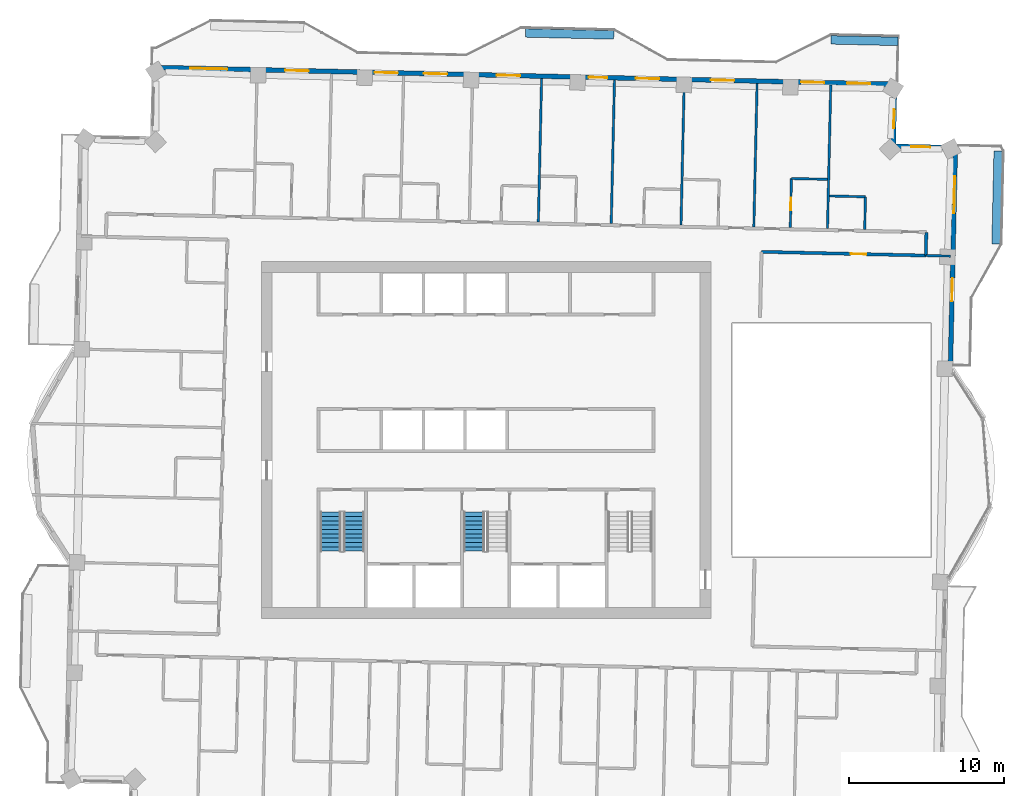
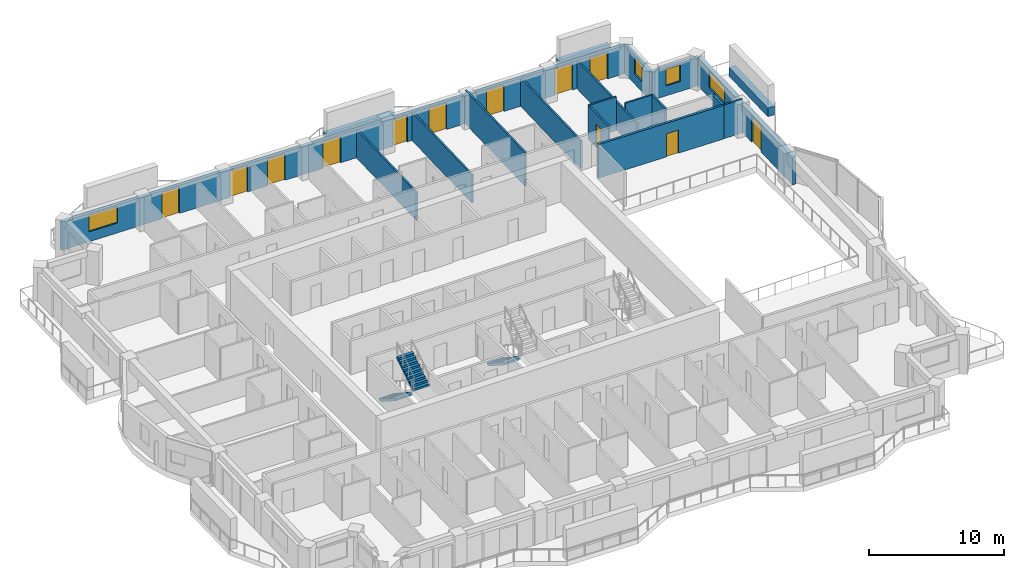
# One storey, part 12 of 17: 19 walls, 12 doors, 4 windows, 3 stair flights, 16 openings, 2 elements without a shape of their own.
"""IFC4 building model written with IfcOpenShell, lengths in metres."""

from ifc_helpers import new_model, si_unit, direction, frame, frame_2d, origin, place, context, subcontext, project, spatial, polyline, rectangle, outline, extrude, material, layer, layer_set, type_object, element, fill, aggregate, save


model = new_model("IFC4")

# Units and contexts
model_context = context("Model", 3, precision=1e-05, world=origin(), true_north=direction((0.0, 1.0)))
body_context = subcontext(model_context, "Body", "Model", "MODEL_VIEW")
ifc_project = project(units=[si_unit("LENGTHUNIT", "METRE"), si_unit("AREAUNIT", "SQUARE_METRE"), si_unit("VOLUMEUNIT", "CUBIC_METRE"), si_unit("PLANEANGLEUNIT", "RADIAN"), si_unit("MASSUNIT", "GRAM", prefix="KILO")], contexts=[model_context])

# Site, building, storey
site_placement = place(None, origin())
site = spatial("IfcSite", under=ifc_project, at=site_placement, CompositionType="ELEMENT")
building_placement = place(site_placement, origin())
building = spatial("IfcBuilding", under=site, at=building_placement, Name="Mangrove Gate Tower", CompositionType="ELEMENT")
storey_placement = place(building_placement, frame((0.0, 0.0, 264.5)))
storey = spatial("IfcBuildingStorey", under=building, at=storey_placement, Name="L67", CompositionType="ELEMENT", Elevation=264.5)

# Wall, opening, door
ifc_material_1 = material(Name="Gypsum board on steel stud, EI 60", Category="steel")
ifc_layer_1 = layer(ifc_material_1, 0.199951171875)
ifc_layer_set_1 = layer_set([ifc_layer_1], Name="Corridor wall EI 60")
wall_type_1 = type_object("IfcWallType", Name="Corridor wall EI 60", PredefinedType="PARTITIONING", material=ifc_layer_set_1)
wall_1_placement = place(storey_placement, frame((17.7529296875, 12.136962890625, 0.0), z_axis=(0.0, 0.0, 1.0), x_axis=(0.999743663474, -0.022640833553, 0.0)))
wall_1 = element("IfcWall", 1, at=wall_1_placement, inside=storey, type_object=wall_type_1, Name="WALL-L67-057", PredefinedType="PARTITIONING", context=body_context, shape_type="SweptSolid", body=[
    extrude(rectangle(XDim=10.599853515625, YDim=0.199951171875, at=frame_2d((5.2998046875, 0.0))), origin(), (0.0, 0.0, 1.0), 3.050048828125),
])
opening_1_placement = place(wall_1_placement, frame((5.75, 0.0, 0.0)))
opening_1 = element("IfcOpeningElement", 2, at=opening_1_placement, cuts=wall_1, Name="Opening AD", PredefinedType="OPENING", context=body_context, shape_type="SweptSolid", body=[
    extrude(rectangle(XDim=1.0, YDim=2.10009765625, at=frame_2d((0.5, 1.050048828125))), frame((0.0, 0.10986328125, 0.0), z_axis=(0.0, -1.0, 0.0), x_axis=(1.0, 0.0, 0.0)), (0.0, 0.0, 1.0), 0.219970703125),
])
ifc_material_2 = material(Name="Timber door leaf", Category="wood")
door_type_1 = type_object("IfcDoorType", Name="Amenity door 1000", OperationType="SINGLE_SWING_LEFT", PredefinedType="DOOR", material=ifc_material_2)
door_1_placement = place(opening_1_placement, origin())
door_1 = element("IfcDoor", 3, at=door_1_placement, inside=storey, type_object=door_type_1, Name="DOOR-L67-LNG-c3b", OperationType="SINGLE_SWING_RIGHT", OverallHeight=2.10009765625, OverallWidth=1.0, PredefinedType="DOOR", context=body_context, shape_type="SweptSolid", body=[
    extrude(rectangle(XDim=1.0, YDim=2.10009765625, at=frame_2d((0.5, 1.050048828125))), frame((0.0, 0.02490234375, 0.0), z_axis=(0.0, -1.0, 0.0), x_axis=(1.0, 0.0, 0.0)), (0.0, 0.0, 1.0), 0.050048828125),
])
fill(opening_1, door_1)

# Wall
wall_2_placement = place(storey_placement, frame((28.35400390625, 11.89697265625, 0.0), z_axis=(0.0, 0.0, 1.0), x_axis=(0.022632637625, 0.99974384905, 0.0)))
element("IfcWall", 4, at=wall_2_placement, inside=storey, type_object=wall_type_1, Name="WALL-L67-059", PredefinedType="PARTITIONING", context=body_context, shape_type="SweptSolid", body=[
    extrude(rectangle(XDim=1.49951171875, YDim=0.199951171875, at=frame_2d((0.749755859375, 0.0))), origin(), (0.0, 0.0, 1.0), 3.050048828125),
])

# Wall, openings, door, window
ifc_material_3 = material(Name="Limestone", Category="masonry")
ifc_layer_2 = layer(ifc_material_3, 0.0400390625, Name="Limestone cladding")
ifc_material_4 = material(Name="Ventilated air gap")
ifc_layer_3 = layer(ifc_material_4, 0.0400390625, Name="Ventilated cavity")
ifc_material_5 = material(Name="Mineral wool insulation")
ifc_layer_4 = layer(ifc_material_5, 0.06005859375, Name="Insulation")
ifc_material_6 = material(Name="Breather membrane")
ifc_layer_5 = layer(ifc_material_6, 0.001953125, Name="Breather membrane")
ifc_material_7 = material(Name="Concrete C20/25 blockwork", Category="masonry")
ifc_layer_6 = layer(ifc_material_7, 0.14990234375, Name="Blockwork backing wall")
ifc_material_8 = material(Name="Gypsum plaster")
ifc_layer_7 = layer(ifc_material_8, 0.008056640625, Name="Internal plaster")
ifc_layer_set_2 = layer_set([ifc_layer_2, ifc_layer_3, ifc_layer_4, ifc_layer_5, ifc_layer_6, ifc_layer_7], Name="External wall 300 limestone cladding")
wall_type_2 = type_object("IfcWallType", Name="External wall 300 limestone cladding", PredefinedType="SOLIDWALL", material=ifc_layer_set_2)
wall_3_placement = place(storey_placement, frame((29.923095703125, 4.0849609375, 0.0), z_axis=(0.0, 0.0, 1.0), x_axis=(0.022738672774, 0.999741442954, 0.0)))
wall_3 = element("IfcWall", 5, at=wall_3_placement, inside=storey, type_object=wall_type_2, Name="WALL-L67-E2s1", PredefinedType="SOLIDWALL", context=body_context, shape_type="SweptSolid", body=[
    extrude(rectangle(XDim=14.77392578125, YDim=0.300048828125, at=frame_2d((7.386962890625, 0.0))), origin(), (0.0, 0.0, 1.0), 2.550048828125),
])
opening_2_placement = place(wall_3_placement, frame((4.85302734375, 0.0, 0.0)))
opening_2 = element("IfcOpeningElement", 6, at=opening_2_placement, cuts=wall_3, Name="Opening BD1", PredefinedType="OPENING", context=body_context, shape_type="SweptSolid", body=[
    extrude(rectangle(XDim=1.5, YDim=2.39990234375, at=frame_2d((0.75, 1.199951171875))), frame((0.0, 0.159912109375, 0.0), z_axis=(0.0, -1.0, 0.0), x_axis=(1.0, 0.0, 0.0)), (0.0, 0.0, 1.0), 0.320068359375),
])
opening_3_placement = place(wall_3_placement, frame((10.5380859375, 0.0, 0.89990234375)))
opening_3 = element("IfcOpeningElement", 7, at=opening_3_placement, cuts=wall_3, Name="Opening W2", PredefinedType="OPENING", context=body_context, shape_type="SweptSolid", body=[
    extrude(rectangle(XDim=2.39990234375, YDim=1.5, at=frame_2d((1.199951171875, 0.75))), frame((0.0, 0.159912109375, 0.0), z_axis=(0.0, -1.0, 0.0), x_axis=(1.0, 0.0, 0.0)), (0.0, 0.0, 1.0), 0.320068359375),
])
ifc_material_9 = material(Name="Aluminium frame with laminated clear glass", Category="aluminium")
door_type_2 = type_object("IfcDoorType", Name="Balcony sliding door 1500x2400", OperationType="SLIDING_TO_LEFT", PredefinedType="DOOR", material=ifc_material_9)
door_2_placement = place(opening_2_placement, origin())
door_2 = element("IfcDoor", 8, at=door_2_placement, inside=storey, type_object=door_type_2, Name="DOOR-L67-E2-1", OperationType="SLIDING_TO_LEFT", OverallHeight=2.39990234375, OverallWidth=1.5, PredefinedType="DOOR", context=body_context, shape_type="SweptSolid", body=[
    extrude(rectangle(XDim=1.5, YDim=2.39990234375, at=frame_2d((0.75, 1.199951171875))), frame((0.0, 0.02490234375, 0.0), z_axis=(0.0, -1.0, 0.0), x_axis=(1.0, 0.0, 0.0)), (0.0, 0.0, 1.0), 0.050048828125),
])
fill(opening_2, door_2)
ifc_material_10 = material(Name="Aluminium frame with double-glazed low-e glass", Category="aluminium")
window_type_1 = type_object("IfcWindowType", Name="Corner room window 2400x1500", PartitioningType="DOUBLE_PANEL_VERTICAL", PredefinedType="WINDOW", material=ifc_material_10)
window_1_placement = place(opening_3_placement, origin())
window_1 = element("IfcWindow", 9, at=window_1_placement, inside=storey, type_object=window_type_1, Name="WIN-L67-E2-2", OverallHeight=1.5, OverallWidth=2.39990234375, PartitioningType="DOUBLE_PANEL_VERTICAL", PredefinedType="WINDOW", context=body_context, shape_type="SweptSolid", body=[
    extrude(rectangle(XDim=2.39990234375, YDim=1.5, at=frame_2d((1.199951171875, 0.75))), frame((0.0, 0.030029296875, 0.0), z_axis=(0.0, -1.0, 0.0), x_axis=(1.0, 0.0, 0.0)), (0.0, 0.0, 1.0), 0.06005859375),
])
fill(opening_3, window_1)

# Wall, opening, window
wall_4_placement = place(storey_placement, frame((30.259033203125, 18.85498046875, 0.0), z_axis=(0.0, 0.0, 1.0), x_axis=(-0.999740826251, 0.022765770952, 0.0)))
wall_4 = element("IfcWall", 10, at=wall_4_placement, inside=storey, type_object=wall_type_2, Name="WALL-L67-N3", PredefinedType="SOLIDWALL", context=body_context, shape_type="SweptSolid", body=[
    extrude(rectangle(XDim=4.0, YDim=0.300048828125, at=frame_2d((2.0, 0.0))), origin(), (0.0, 0.0, 1.0), 2.550048828125),
])
opening_4_placement = place(wall_4_placement, frame((1.632080078125, 0.0, 0.89990234375)))
opening_4 = element("IfcOpeningElement", 11, at=opening_4_placement, cuts=wall_4, Name="Opening W1", PredefinedType="OPENING", context=body_context, shape_type="SweptSolid", body=[
    extrude(rectangle(XDim=1.199951171875, YDim=1.5, at=frame_2d((0.60009765625, 0.75))), frame((0.0, 0.159912109375, 0.0), z_axis=(0.0, -1.0, 0.0), x_axis=(1.0, 0.0, 0.0)), (0.0, 0.0, 1.0), 0.320068359375),
])
ifc_material_11 = material(Name="Aluminium frame with double-glazed low-e glass", Category="aluminium")
window_type_2 = type_object("IfcWindowType", Name="Side lite 1200x1500", PartitioningType="SINGLE_PANEL", PredefinedType="WINDOW", material=ifc_material_11)
window_2_placement = place(opening_4_placement, origin())
window_2 = element("IfcWindow", 12, at=window_2_placement, inside=storey, type_object=window_type_2, Name="WIN-L67-N3-1", OverallHeight=1.5, OverallWidth=1.199951171875, PartitioningType="SINGLE_PANEL", PredefinedType="WINDOW", context=body_context, shape_type="SweptSolid", body=[
    extrude(rectangle(XDim=1.199951171875, YDim=1.5, at=frame_2d((0.60009765625, 0.75))), frame((0.0, 0.030029296875, 0.0), z_axis=(0.0, -1.0, 0.0), x_axis=(1.0, 0.0, 0.0)), (0.0, 0.0, 1.0), 0.06005859375),
])
fill(opening_4, window_2)

wall_5_placement = place(storey_placement, frame((26.260009765625, 18.946044921875, 0.0), z_axis=(0.0, 0.0, 1.0), x_axis=(0.022521758502, 0.999746353029, 0.0)))
wall_5 = element("IfcWall", 13, at=wall_5_placement, inside=storey, type_object=wall_type_2, Name="WALL-L67-E4", PredefinedType="SOLIDWALL", context=body_context, shape_type="SweptSolid", body=[
    extrude(rectangle(XDim=4.0, YDim=0.300048828125, at=frame_2d((2.0, 0.0))), origin(), (0.0, 0.0, 1.0), 2.550048828125),
])
opening_5_placement = place(wall_5_placement, frame((1.1689453125, 0.0, 0.89990234375)))
opening_5 = element("IfcOpeningElement", 14, at=opening_5_placement, cuts=wall_5, Name="Opening W1", PredefinedType="OPENING", context=body_context, shape_type="SweptSolid", body=[
    extrude(rectangle(XDim=1.199951171875, YDim=1.5, at=frame_2d((0.60009765625, 0.75))), frame((0.0, 0.159912109375, 0.0), z_axis=(0.0, -1.0, 0.0), x_axis=(1.0, 0.0, 0.0)), (0.0, 0.0, 1.0), 0.320068359375),
])
window_3_placement = place(opening_5_placement, origin())
window_3 = element("IfcWindow", 15, at=window_3_placement, inside=storey, type_object=window_type_2, Name="WIN-L67-E4-1", OverallHeight=1.5, OverallWidth=1.199951171875, PartitioningType="SINGLE_PANEL", PredefinedType="WINDOW", context=body_context, shape_type="SweptSolid", body=[
    extrude(rectangle(XDim=1.199951171875, YDim=1.5, at=frame_2d((0.60009765625, 0.75))), frame((0.0, 0.030029296875, 0.0), z_axis=(0.0, -1.0, 0.0), x_axis=(1.0, 0.0, 0.0)), (0.0, 0.0, 1.0), 0.06005859375),
])
fill(opening_5, window_3)

# Wall, openings, doors, window
wall_6_placement = place(storey_placement, frame((26.35009765625, 22.945068359375, 0.0), z_axis=(0.0, 0.0, 1.0), x_axis=(-0.999742523712, 0.022691105788, 0.0)))
wall_6 = element("IfcWall", 16, at=wall_6_placement, inside=storey, type_object=wall_type_2, Name="WALL-L67-N5", PredefinedType="SOLIDWALL", context=body_context, shape_type="SweptSolid", body=[
    extrude(rectangle(XDim=47.771240234375, YDim=0.300048828125, at=frame_2d((23.8857421875, 0.0))), origin(), (0.0, 0.0, 1.0), 2.550048828125),
])
opening_6_placement = place(wall_6_placement, frame((1.577880859375, 0.0, 0.0)))
opening_6 = element("IfcOpeningElement", 17, at=opening_6_placement, cuts=wall_6, Name="Opening BD1", PredefinedType="OPENING", context=body_context, shape_type="SweptSolid", body=[
    extrude(rectangle(XDim=1.5, YDim=2.39990234375, at=frame_2d((0.75, 1.199951171875))), frame((0.0, 0.159912109375, 0.0), z_axis=(0.0, -1.0, 0.0), x_axis=(1.0, 0.0, 0.0)), (0.0, 0.0, 1.0), 0.320068359375),
])
opening_7_placement = place(wall_6_placement, frame((4.544921875, 0.0, 0.0)))
opening_7 = element("IfcOpeningElement", 18, at=opening_7_placement, cuts=wall_6, Name="Opening BD1", PredefinedType="OPENING", context=body_context, shape_type="SweptSolid", body=[
    extrude(rectangle(XDim=1.5, YDim=2.39990234375, at=frame_2d((0.75, 1.199951171875))), frame((0.0, 0.159912109375, 0.0), z_axis=(0.0, -1.0, 0.0), x_axis=(1.0, 0.0, 0.0)), (0.0, 0.0, 1.0), 0.320068359375),
])
opening_8_placement = place(wall_6_placement, frame((10.35400390625, 0.0, 0.0)))
opening_8 = element("IfcOpeningElement", 19, at=opening_8_placement, cuts=wall_6, Name="Opening BD1", PredefinedType="OPENING", context=body_context, shape_type="SweptSolid", body=[
    extrude(rectangle(XDim=1.5, YDim=2.39990234375, at=frame_2d((0.75, 1.199951171875))), frame((0.0, 0.159912109375, 0.0), z_axis=(0.0, -1.0, 0.0), x_axis=(1.0, 0.0, 0.0)), (0.0, 0.0, 1.0), 0.320068359375),
])
opening_9_placement = place(wall_6_placement, frame((15.2041015625, 0.0, 0.0)))
opening_9 = element("IfcOpeningElement", 20, at=opening_9_placement, cuts=wall_6, Name="Opening BD1", PredefinedType="OPENING", context=body_context, shape_type="SweptSolid", body=[
    extrude(rectangle(XDim=1.5, YDim=2.39990234375, at=frame_2d((0.75, 1.199951171875))), frame((0.0, 0.159912109375, 0.0), z_axis=(0.0, -1.0, 0.0), x_axis=(1.0, 0.0, 0.0)), (0.0, 0.0, 1.0), 0.320068359375),
])
opening_10_placement = place(wall_6_placement, frame((18.537109375, 0.0, 0.0)))
opening_10 = element("IfcOpeningElement", 21, at=opening_10_placement, cuts=wall_6, Name="Opening BD2", PredefinedType="OPENING", context=body_context, shape_type="SweptSolid", body=[
    extrude(rectangle(XDim=1.199951171875, YDim=2.39990234375, at=frame_2d((0.60009765625, 1.199951171875))), frame((0.0, 0.159912109375, 0.0), z_axis=(0.0, -1.0, 0.0), x_axis=(1.0, 0.0, 0.0)), (0.0, 0.0, 1.0), 0.320068359375),
])
opening_11_placement = place(wall_6_placement, frame((24.1708984375, 0.0, 0.0)))
opening_11 = element("IfcOpeningElement", 22, at=opening_11_placement, cuts=wall_6, Name="Opening BD1", PredefinedType="OPENING", context=body_context, shape_type="SweptSolid", body=[
    extrude(rectangle(XDim=1.5, YDim=2.39990234375, at=frame_2d((0.75, 1.199951171875))), frame((0.0, 0.159912109375, 0.0), z_axis=(0.0, -1.0, 0.0), x_axis=(1.0, 0.0, 0.0)), (0.0, 0.0, 1.0), 0.320068359375),
])
opening_12_placement = place(wall_6_placement, frame((28.87109375, 0.0, 0.0)))
opening_12 = element("IfcOpeningElement", 23, at=opening_12_placement, cuts=wall_6, Name="Opening BD1", PredefinedType="OPENING", context=body_context, shape_type="SweptSolid", body=[
    extrude(rectangle(XDim=1.5, YDim=2.39990234375, at=frame_2d((0.75, 1.199951171875))), frame((0.0, 0.159912109375, 0.0), z_axis=(0.0, -1.0, 0.0), x_axis=(1.0, 0.0, 0.0)), (0.0, 0.0, 1.0), 0.320068359375),
])
opening_13_placement = place(wall_6_placement, frame((32.054931640625, 0.0, 0.0)))
opening_13 = element("IfcOpeningElement", 24, at=opening_13_placement, cuts=wall_6, Name="Opening BD1", PredefinedType="OPENING", context=body_context, shape_type="SweptSolid", body=[
    extrude(rectangle(XDim=1.5, YDim=2.39990234375, at=frame_2d((0.75, 1.199951171875))), frame((0.0, 0.159912109375, 0.0), z_axis=(0.0, -1.0, 0.0), x_axis=(1.0, 0.0, 0.0)), (0.0, 0.0, 1.0), 0.320068359375),
])
opening_14_placement = place(wall_6_placement, frame((37.81298828125, 0.0, 0.0)))
opening_14 = element("IfcOpeningElement", 25, at=opening_14_placement, cuts=wall_6, Name="Opening BD1", PredefinedType="OPENING", context=body_context, shape_type="SweptSolid", body=[
    extrude(rectangle(XDim=1.5, YDim=2.39990234375, at=frame_2d((0.75, 1.199951171875))), frame((0.0, 0.159912109375, 0.0), z_axis=(0.0, -1.0, 0.0), x_axis=(1.0, 0.0, 0.0)), (0.0, 0.0, 1.0), 0.320068359375),
])
opening_15_placement = place(wall_6_placement, frame((43.052001953125, 0.0, 0.89990234375)))
opening_15 = element("IfcOpeningElement", 26, at=opening_15_placement, cuts=wall_6, Name="Opening W2", PredefinedType="OPENING", context=body_context, shape_type="SweptSolid", body=[
    extrude(rectangle(XDim=2.39990234375, YDim=1.5, at=frame_2d((1.199951171875, 0.75))), frame((0.0, 0.159912109375, 0.0), z_axis=(0.0, -1.0, 0.0), x_axis=(1.0, 0.0, 0.0)), (0.0, 0.0, 1.0), 0.320068359375),
])
ifc_material_12 = material(Name="Aluminium frame with laminated clear glass", Category="aluminium")
door_type_3 = type_object("IfcDoorType", Name="Balcony sliding door 1200x2400", OperationType="SLIDING_TO_LEFT", PredefinedType="DOOR", material=ifc_material_12)
door_3_placement = place(opening_10_placement, origin())
door_3 = element("IfcDoor", 27, at=door_3_placement, inside=storey, type_object=door_type_3, Name="DOOR-L67-N5-5", OperationType="SLIDING_TO_LEFT", OverallHeight=2.39990234375, OverallWidth=1.199951171875, PredefinedType="DOOR", context=body_context, shape_type="SweptSolid", body=[
    extrude(rectangle(XDim=1.199951171875, YDim=2.39990234375, at=frame_2d((0.60009765625, 1.199951171875))), frame((0.0, 0.02490234375, 0.0), z_axis=(0.0, -1.0, 0.0), x_axis=(1.0, 0.0, 0.0)), (0.0, 0.0, 1.0), 0.050048828125),
])
fill(opening_10, door_3)
door_4_placement = place(opening_6_placement, origin())
door_4 = element("IfcDoor", 28, at=door_4_placement, inside=storey, type_object=door_type_2, Name="DOOR-L67-N5-1", OperationType="SLIDING_TO_LEFT", OverallHeight=2.39990234375, OverallWidth=1.5, PredefinedType="DOOR", context=body_context, shape_type="SweptSolid", body=[
    extrude(rectangle(XDim=1.5, YDim=2.39990234375, at=frame_2d((0.75, 1.199951171875))), frame((0.0, 0.02490234375, 0.0), z_axis=(0.0, -1.0, 0.0), x_axis=(1.0, 0.0, 0.0)), (0.0, 0.0, 1.0), 0.050048828125),
])
fill(opening_6, door_4)
door_5_placement = place(opening_7_placement, origin())
door_5 = element("IfcDoor", 29, at=door_5_placement, inside=storey, type_object=door_type_2, Name="DOOR-L67-N5-2", OperationType="SLIDING_TO_LEFT", OverallHeight=2.39990234375, OverallWidth=1.5, PredefinedType="DOOR", context=body_context, shape_type="SweptSolid", body=[
    extrude(rectangle(XDim=1.5, YDim=2.39990234375, at=frame_2d((0.75, 1.199951171875))), frame((0.0, 0.02490234375, 0.0), z_axis=(0.0, -1.0, 0.0), x_axis=(1.0, 0.0, 0.0)), (0.0, 0.0, 1.0), 0.050048828125),
])
fill(opening_7, door_5)
door_6_placement = place(opening_8_placement, origin())
door_6 = element("IfcDoor", 30, at=door_6_placement, inside=storey, type_object=door_type_2, Name="DOOR-L67-N5-3", OperationType="SLIDING_TO_LEFT", OverallHeight=2.39990234375, OverallWidth=1.5, PredefinedType="DOOR", context=body_context, shape_type="SweptSolid", body=[
    extrude(rectangle(XDim=1.5, YDim=2.39990234375, at=frame_2d((0.75, 1.199951171875))), frame((0.0, 0.02490234375, 0.0), z_axis=(0.0, -1.0, 0.0), x_axis=(1.0, 0.0, 0.0)), (0.0, 0.0, 1.0), 0.050048828125),
])
fill(opening_8, door_6)
door_7_placement = place(opening_9_placement, origin())
door_7 = element("IfcDoor", 31, at=door_7_placement, inside=storey, type_object=door_type_2, Name="DOOR-L67-N5-4", OperationType="SLIDING_TO_LEFT", OverallHeight=2.39990234375, OverallWidth=1.5, PredefinedType="DOOR", context=body_context, shape_type="SweptSolid", body=[
    extrude(rectangle(XDim=1.5, YDim=2.39990234375, at=frame_2d((0.75, 1.199951171875))), frame((0.0, 0.02490234375, 0.0), z_axis=(0.0, -1.0, 0.0), x_axis=(1.0, 0.0, 0.0)), (0.0, 0.0, 1.0), 0.050048828125),
])
fill(opening_9, door_7)
door_8_placement = place(opening_11_placement, origin())
door_8 = element("IfcDoor", 32, at=door_8_placement, inside=storey, type_object=door_type_2, Name="DOOR-L67-N5-6", OperationType="SLIDING_TO_LEFT", OverallHeight=2.39990234375, OverallWidth=1.5, PredefinedType="DOOR", context=body_context, shape_type="SweptSolid", body=[
    extrude(rectangle(XDim=1.5, YDim=2.39990234375, at=frame_2d((0.75, 1.199951171875))), frame((0.0, 0.02490234375, 0.0), z_axis=(0.0, -1.0, 0.0), x_axis=(1.0, 0.0, 0.0)), (0.0, 0.0, 1.0), 0.050048828125),
])
fill(opening_11, door_8)
door_9_placement = place(opening_12_placement, origin())
door_9 = element("IfcDoor", 33, at=door_9_placement, inside=storey, type_object=door_type_2, Name="DOOR-L67-N5-7", OperationType="SLIDING_TO_LEFT", OverallHeight=2.39990234375, OverallWidth=1.5, PredefinedType="DOOR", context=body_context, shape_type="SweptSolid", body=[
    extrude(rectangle(XDim=1.5, YDim=2.39990234375, at=frame_2d((0.75, 1.199951171875))), frame((0.0, 0.02490234375, 0.0), z_axis=(0.0, -1.0, 0.0), x_axis=(1.0, 0.0, 0.0)), (0.0, 0.0, 1.0), 0.050048828125),
])
fill(opening_12, door_9)
door_10_placement = place(opening_13_placement, origin())
door_10 = element("IfcDoor", 34, at=door_10_placement, inside=storey, type_object=door_type_2, Name="DOOR-L67-N5-8", OperationType="SLIDING_TO_LEFT", OverallHeight=2.39990234375, OverallWidth=1.5, PredefinedType="DOOR", context=body_context, shape_type="SweptSolid", body=[
    extrude(rectangle(XDim=1.5, YDim=2.39990234375, at=frame_2d((0.75, 1.199951171875))), frame((0.0, 0.02490234375, 0.0), z_axis=(0.0, -1.0, 0.0), x_axis=(1.0, 0.0, 0.0)), (0.0, 0.0, 1.0), 0.050048828125),
])
fill(opening_13, door_10)
door_11_placement = place(opening_14_placement, origin())
door_11 = element("IfcDoor", 35, at=door_11_placement, inside=storey, type_object=door_type_2, Name="DOOR-L67-N5-9", OperationType="SLIDING_TO_LEFT", OverallHeight=2.39990234375, OverallWidth=1.5, PredefinedType="DOOR", context=body_context, shape_type="SweptSolid", body=[
    extrude(rectangle(XDim=1.5, YDim=2.39990234375, at=frame_2d((0.75, 1.199951171875))), frame((0.0, 0.02490234375, 0.0), z_axis=(0.0, -1.0, 0.0), x_axis=(1.0, 0.0, 0.0)), (0.0, 0.0, 1.0), 0.050048828125),
])
fill(opening_14, door_11)
window_4_placement = place(opening_15_placement, origin())
window_4 = element("IfcWindow", 36, at=window_4_placement, inside=storey, type_object=window_type_1, Name="WIN-L67-N5-10", OverallHeight=1.5, OverallWidth=2.39990234375, PartitioningType="DOUBLE_PANEL_VERTICAL", PredefinedType="WINDOW", context=body_context, shape_type="SweptSolid", body=[
    extrude(rectangle(XDim=2.39990234375, YDim=1.5, at=frame_2d((1.199951171875, 0.75))), frame((0.0, 0.030029296875, 0.0), z_axis=(0.0, -1.0, 0.0), x_axis=(1.0, 0.0, 0.0)), (0.0, 0.0, 1.0), 0.06005859375),
])
fill(opening_15, window_4)

# Walls
ifc_material_13 = material(Name="Gypsum board on steel stud, EI 60", Category="steel")
ifc_layer_8 = layer(ifc_material_13, 0.14990234375)
ifc_layer_set_3 = layer_set([ifc_layer_8], Name="Party wall 150 EI 60")
wall_type_3 = type_object("IfcWallType", Name="Party wall 150 EI 60", PredefinedType="PARTITIONING", material=ifc_layer_set_3)
wall_7_placement = place(storey_placement, frame((28.35009765625, 11.89697265625, 0.0), z_axis=(0.0, 0.0, 1.0), x_axis=(0.999734618493, -0.023036765969, 0.0)))
element("IfcWall", 37, at=wall_7_placement, inside=storey, type_object=wall_type_3, Name="WALL-L67-058", PredefinedType="PARTITIONING", context=body_context, shape_type="SweptSolid", body=[
    extrude(rectangle(XDim=1.600341796875, YDim=0.14990234375, at=frame_2d((0.80029296875, 0.0))), origin(), (0.0, 0.0, 1.0), 3.050048828125),
])
for number, where, z_axis, x_axis, name in (
    (38, (3.366943359375, 14.06396484375, 0.0), (0.0, 0.0, 1.0), (0.022697424684, 0.999742380272, 0.0), "WALL-L67-070"),
    (39, (8.06591796875, 13.95703125, 0.0), (0.0, 0.0, 1.0), (0.022697424684, 0.999742380272, 0.0), "WALL-L67-072"),
):
    element("IfcWall", number, at=place(storey_placement, frame(where, z_axis=z_axis, x_axis=x_axis)), inside=storey, type_object=wall_type_3, Name=name, PredefinedType="PARTITIONING", context=body_context, shape_type="SweptSolid", body=[
        extrude(rectangle(XDim=9.25048828125, YDim=0.14990234375, at=frame_2d((4.625244140625, 0.0))), origin(), (0.0, 0.0, 1.0), 2.550048828125),
    ])
wall_8_placement = place(storey_placement, frame((12.56494140625, 13.85498046875, 0.0), z_axis=(0.0, 0.0, 1.0), x_axis=(0.022591909275, 0.999744770247, 0.0)))
element("IfcWall", 40, at=wall_8_placement, inside=storey, type_object=wall_type_3, Name="WALL-L67-074", PredefinedType="PARTITIONING", context=body_context, shape_type="SweptSolid", body=[
    extrude(rectangle(XDim=9.25048828125, YDim=0.14990234375, at=frame_2d((4.625244140625, 0.0))), origin(), (0.0, 0.0, 1.0), 3.050048828125),
])
wall_9_placement = place(storey_placement, frame((17.262939453125, 13.7490234375, 0.0), z_axis=(0.0, 0.0, 1.0), x_axis=(0.022699820474, 0.999742325877, 0.0)))
element("IfcWall", 41, at=wall_9_placement, inside=storey, type_object=wall_type_3, Name="WALL-L67-076", PredefinedType="PARTITIONING", context=body_context, shape_type="SweptSolid", body=[
    extrude(rectangle(XDim=9.24951171875, YDim=0.14990234375, at=frame_2d((4.624755859375, 0.0))), origin(), (0.0, 0.0, 1.0), 2.550048828125),
])

# Wall, opening, door
wall_10_placement = place(storey_placement, frame((19.613037109375, 13.695068359375, 0.0), z_axis=(0.0, 0.0, 1.0), x_axis=(0.022721405353, 0.999741835545, 0.0)))
wall_10 = element("IfcWall", 42, at=wall_10_placement, inside=storey, type_object=wall_type_3, Name="WALL-L67-077", PredefinedType="PARTITIONING", context=body_context, shape_type="SweptSolid", body=[
    extrude(rectangle(XDim=3.169677734375, YDim=0.14990234375, at=frame_2d((1.5849609375, 0.0))), origin(), (0.0, 0.0, 1.0), 3.050048828125),
])
opening_16_placement = place(wall_10_placement, frame((1.135009765625, 0.0, 0.0)))
opening_16 = element("IfcOpeningElement", 43, at=opening_16_placement, cuts=wall_10, Name="Opening ED", PredefinedType="OPENING", context=body_context, shape_type="SweptSolid", body=[
    extrude(rectangle(XDim=0.800048828125, YDim=2.10009765625, at=frame_2d((0.39990234375, 1.050048828125))), frame((0.0, 0.0849609375, 0.0), z_axis=(0.0, -1.0, 0.0), x_axis=(1.0, 0.0, 0.0)), (0.0, 0.0, 1.0), 0.169921875),
])
ifc_material_14 = material(Name="Timber door leaf", Category="wood")
door_type_4 = type_object("IfcDoorType", Name="En-suite door 800", OperationType="SINGLE_SWING_LEFT", PredefinedType="DOOR", material=ifc_material_14)
door_12_placement = place(opening_16_placement, origin())
door_12 = element("IfcDoor", 44, at=door_12_placement, inside=storey, type_object=door_type_4, Name="DOOR-L67-ENS-c310", OperationType="SINGLE_SWING_RIGHT", OverallHeight=2.10009765625, OverallWidth=0.800048828125, PredefinedType="DOOR", context=body_context, shape_type="SweptSolid", body=[
    extrude(rectangle(XDim=0.800048828125, YDim=2.10009765625, at=frame_2d((0.39990234375, 1.050048828125))), frame((0.0, 0.02490234375, 0.0), z_axis=(0.0, -1.0, 0.0), x_axis=(1.0, 0.0, 0.0)), (0.0, 0.0, 1.0), 0.050048828125),
])
fill(opening_16, door_12)

# Walls
wall_11_placement = place(storey_placement, frame((22.011962890625, 13.64111328125, 0.0), z_axis=(0.0, 0.0, 1.0), x_axis=(0.022698023584, 0.999742366675, 0.0)))
element("IfcWall", 45, at=wall_11_placement, inside=storey, type_object=wall_type_3, Name="WALL-L67-078", PredefinedType="PARTITIONING", context=body_context, shape_type="SweptSolid", body=[
    extrude(rectangle(XDim=9.250244140625, YDim=0.14990234375, at=frame_2d((4.625, 0.0))), origin(), (0.0, 0.0, 1.0), 2.550048828125),
])
wall_12_placement = place(storey_placement, frame((24.412109375, 13.5859375, 0.0), z_axis=(0.0, 0.0, 1.0), x_axis=(0.022314832676, 0.999750993119, 0.0)))
element("IfcWall", 46, at=wall_12_placement, inside=storey, type_object=wall_type_3, Name="WALL-L67-079", PredefinedType="PARTITIONING", context=body_context, shape_type="SweptSolid", body=[
    extrude(rectangle(XDim=2.1005859375, YDim=0.14990234375, at=frame_2d((1.05029296875, 0.0))), origin(), (0.0, 0.0, 1.0), 3.050048828125),
])
for number, where, z_axis, x_axis, name in (
    (47, (22.138916015625, 15.739013671875, 0.0), (0.0, 0.0, 1.0), (0.999740260747, -0.02279059109, 0.0), "WALL-L67-080"),
    (48, (19.68896484375, 16.864013671875, 0.0), (0.0, 0.0, 1.0), (0.999749744571, -0.022370700241, 0.0), "WALL-L67-088"),
):
    element("IfcWall", number, at=place(storey_placement, frame(where, z_axis=z_axis, x_axis=x_axis)), inside=storey, type_object=wall_type_3, Name=name, PredefinedType="PARTITIONING", context=body_context, shape_type="SweptSolid", body=[
        extrude(rectangle(XDim=2.324462890625, YDim=0.14990234375, at=frame_2d((1.162109375, 0.0))), origin(), (0.0, 0.0, 1.0), 3.050048828125),
    ])
ifc_material_15 = material(Name="Concrete C32/40", Category="concrete")
ifc_layer_9 = layer(ifc_material_15, 0.199951171875, Name="Planter trough wall")
ifc_material_16 = material(Name="Bituminous waterproofing membrane")
ifc_layer_10 = layer(ifc_material_16, 0.0048828125, Name="Waterproofing")
ifc_material_17 = material(Name="Drainage board and gravel")
ifc_layer_11 = layer(ifc_material_17, 0.044921875, Name="Drainage layer")
ifc_material_18 = material(Name="Planting soil")
ifc_layer_12 = layer(ifc_material_18, 0.300048828125, Name="Growing medium")
ifc_layer_set_4 = layer_set([ifc_layer_9, ifc_layer_10, ifc_layer_11, ifc_layer_12], Name="Planter wall 550 C32/40")
wall_type_4 = type_object("IfcWallType", Name="Planter wall 550 C32/40", PredefinedType="USERDEFINED", material=ifc_layer_set_4)
wall_13_placement = place(storey_placement, frame((32.883056640625, 12.64404296875, 0.0), z_axis=(0.0, 0.0, 1.0), x_axis=(0.022665943652, 0.999743094499, 0.0)))
element("IfcWall", 49, at=wall_13_placement, inside=storey, type_object=wall_type_4, Name="PLANTER L67 E1.1", ObjectType="PLANTER", PredefinedType="USERDEFINED", context=body_context, shape_type="SweptSolid", body=[
    extrude(rectangle(XDim=5.99951171875, YDim=0.550048828125, at=frame_2d((2.999755859375, 0.0))), origin(), (0.0, 0.0, 1.0), 0.800048828125),
])
wall_14_placement = place(storey_placement, frame((2.533935546875, 26.2509765625, 0.0), z_axis=(0.0, 0.0, 1.0), x_axis=(0.999744196375, -0.022617290187, 0.0)))
element("IfcWall", 50, at=wall_14_placement, inside=storey, type_object=wall_type_4, Name="PLANTER L67 N0.1", ObjectType="PLANTER", PredefinedType="USERDEFINED", context=body_context, shape_type="SweptSolid", body=[
    extrude(rectangle(XDim=5.699462890625, YDim=0.550048828125, at=frame_2d((2.849609375, 0.0))), origin(), (0.0, 0.0, 1.0), 0.800048828125),
])
wall_15_placement = place(storey_placement, frame((22.22802734375, 25.803955078125, 0.0), z_axis=(0.0, 0.0, 1.0), x_axis=(0.999745080894, -0.022578158225, 0.0)))
element("IfcWall", 51, at=wall_15_placement, inside=storey, type_object=wall_type_4, Name="PLANTER L67 N0.2", ObjectType="PLANTER", PredefinedType="USERDEFINED", context=body_context, shape_type="SweptSolid", body=[
    extrude(rectangle(XDim=4.336181640625, YDim=0.550048828125, at=frame_2d((2.16796875, 0.0))), origin(), (0.0, 0.0, 1.0), 0.800048828125),
])

# Stair, stair flights
ifc_material_19 = material(Name="Concrete C40/50", Category="concrete")
stair_type = type_object("IfcStairType", Name="Core stair 1350", PredefinedType="HALF_TURN_STAIR", material=ifc_material_19)
stair_1_placement = place(storey_placement, origin())
stair_1 = element("IfcStair", 52, at=stair_1_placement, inside=storey, type_object=stair_type, Name="L67 Stair 1", PredefinedType="HALF_TURN_STAIR")
ifc_material_20 = material(Name="Concrete C40/50", Category="concrete")
stair_flight_type = type_object("IfcStairFlightType", Name="Core stair flight 1350", PredefinedType="STRAIGHT", material=ifc_material_20)
stair_flight_1_placement = place(storey_placement, frame((-10.02490234375, -4.64990234375, 0.0), z_axis=(0.0, 0.0, 1.0), x_axis=(0.0, -1.0, 0.0)))
stair_flight_1 = element("IfcStairFlight", 53, at=stair_flight_1_placement, type_object=stair_flight_type, Name="ST1 flight 1", NumberOfRisers=10, NumberOfTreads=9, PredefinedType="STRAIGHT", RiserHeight=0.18, TreadLength=0.28, context=body_context, shape_type="SweptSolid", body=[
    extrude(outline(polyline([(0.0, 0.0), (0.0, 0.179931640625), (0.280029296875, 0.179931640625), (0.280029296875, 0.360107421875), (0.56005859375, 0.360107421875), (0.56005859375, 0.5400390625), (0.840087890625, 0.5400390625), (0.840087890625, 0.719970703125), (1.1201171875, 0.719970703125), (1.1201171875, 0.89990234375), (1.39990234375, 0.89990234375), (1.39990234375, 1.080078125), (1.679931640625, 1.080078125), (1.679931640625, 1.260009765625), (1.9599609375, 1.260009765625), (1.9599609375, 1.43994140625), (2.239990234375, 1.43994140625), (2.239990234375, 1.6201171875), (2.52001953125, 1.6201171875), (2.52001953125, 1.800048828125), (2.52001953125, 1.44189453125), (0.277099609375, 0.0), (0.0, 0.0)])), frame((0.0, 0.675048828125, 0.0), z_axis=(0.0, -1.0, 0.0), x_axis=(1.0, 0.0, 0.0)), (0.0, 0.0, 1.0), 1.35009765625),
])
stair_flight_2_placement = place(storey_placement, frame((-8.52490234375, -7.169921875, 1.800048828125), z_axis=(0.0, 0.0, 1.0), x_axis=(0.0, 1.0, 0.0)))
stair_flight_2 = element("IfcStairFlight", 54, at=stair_flight_2_placement, type_object=stair_flight_type, Name="ST1 flight 2", NumberOfRisers=10, NumberOfTreads=9, PredefinedType="STRAIGHT", RiserHeight=0.18, TreadLength=0.28, context=body_context, shape_type="SweptSolid", body=[
    extrude(outline(polyline([(0.0, 0.0), (0.0, 0.179931640625), (0.280029296875, 0.179931640625), (0.280029296875, 0.360107421875), (0.56005859375, 0.360107421875), (0.56005859375, 0.5400390625), (0.840087890625, 0.5400390625), (0.840087890625, 0.719970703125), (1.1201171875, 0.719970703125), (1.1201171875, 0.89990234375), (1.39990234375, 0.89990234375), (1.39990234375, 1.080078125), (1.679931640625, 1.080078125), (1.679931640625, 1.260009765625), (1.9599609375, 1.260009765625), (1.9599609375, 1.43994140625), (2.239990234375, 1.43994140625), (2.239990234375, 1.6201171875), (2.52001953125, 1.6201171875), (2.52001953125, 1.800048828125), (2.52001953125, 1.44189453125), (0.277099609375, 0.0), (0.0, 0.0)])), frame((0.0, 0.675048828125, 0.0), z_axis=(0.0, -1.0, 0.0), x_axis=(1.0, 0.0, 0.0)), (0.0, 0.0, 1.0), 1.35009765625),
])
aggregate(stair_1, [stair_flight_1, stair_flight_2])

# Stair, stair flight
stair_2_placement = place(storey_placement, origin())
stair_2 = element("IfcStair", 55, at=stair_2_placement, inside=storey, type_object=stair_type, Name="L67 Stair 2", PredefinedType="HALF_TURN_STAIR")
stair_flight_3_placement = place(storey_placement, frame((-0.77490234375, -4.64990234375, 0.0), z_axis=(0.0, 0.0, 1.0), x_axis=(0.0, -1.0, 0.0)))
stair_flight_3 = element("IfcStairFlight", 56, at=stair_flight_3_placement, type_object=stair_flight_type, Name="ST2 flight 1", NumberOfRisers=10, NumberOfTreads=9, PredefinedType="STRAIGHT", RiserHeight=0.18, TreadLength=0.28, context=body_context, shape_type="SweptSolid", body=[
    extrude(outline(polyline([(0.0, 0.0), (0.0, 0.179931640625), (0.280029296875, 0.179931640625), (0.280029296875, 0.360107421875), (0.56005859375, 0.360107421875), (0.56005859375, 0.5400390625), (0.840087890625, 0.5400390625), (0.840087890625, 0.719970703125), (1.1201171875, 0.719970703125), (1.1201171875, 0.89990234375), (1.39990234375, 0.89990234375), (1.39990234375, 1.080078125), (1.679931640625, 1.080078125), (1.679931640625, 1.260009765625), (1.9599609375, 1.260009765625), (1.9599609375, 1.43994140625), (2.239990234375, 1.43994140625), (2.239990234375, 1.6201171875), (2.52001953125, 1.6201171875), (2.52001953125, 1.800048828125), (2.52001953125, 1.44189453125), (0.277099609375, 0.0), (0.0, 0.0)])), frame((0.0, 0.675048828125, 0.0), z_axis=(0.0, -1.0, 0.0), x_axis=(1.0, 0.0, 0.0)), (0.0, 0.0, 1.0), 1.35009765625),
])
aggregate(stair_2, [stair_flight_3])

save(model, "model.ifc")
